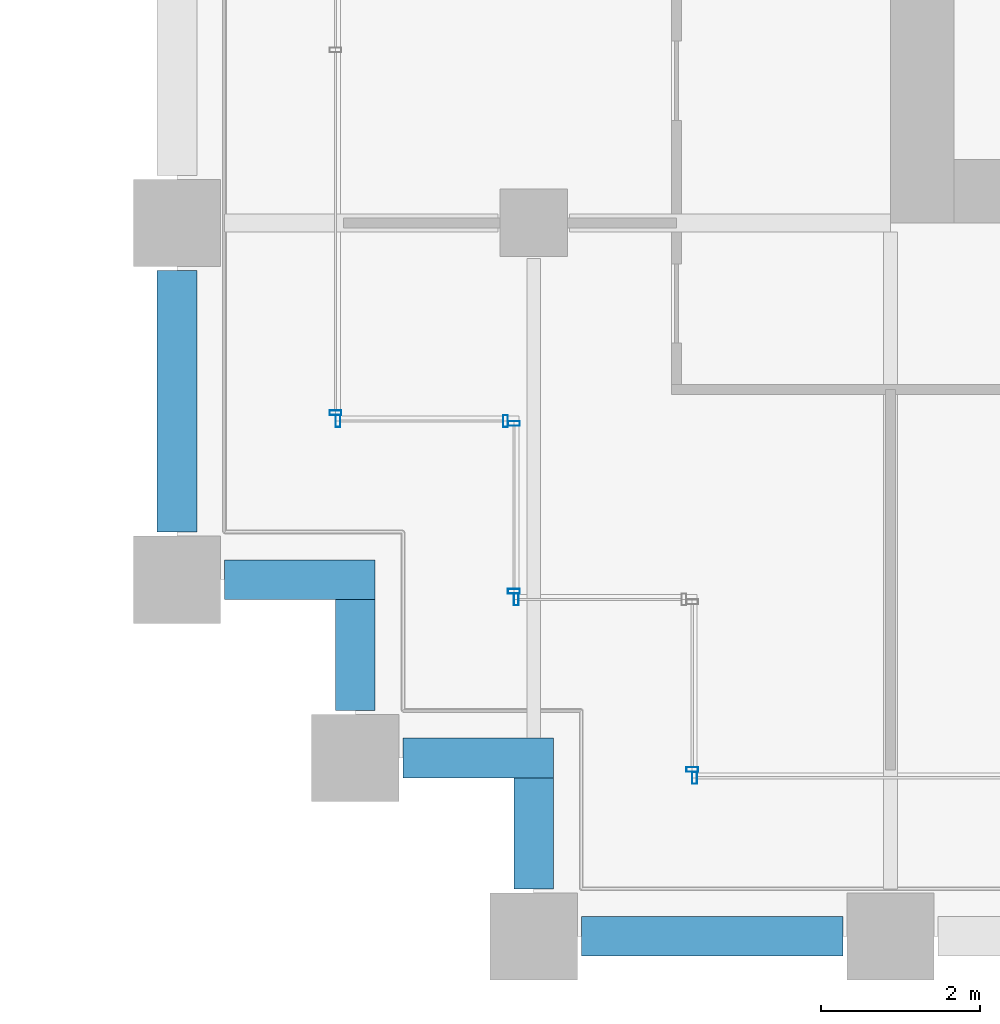
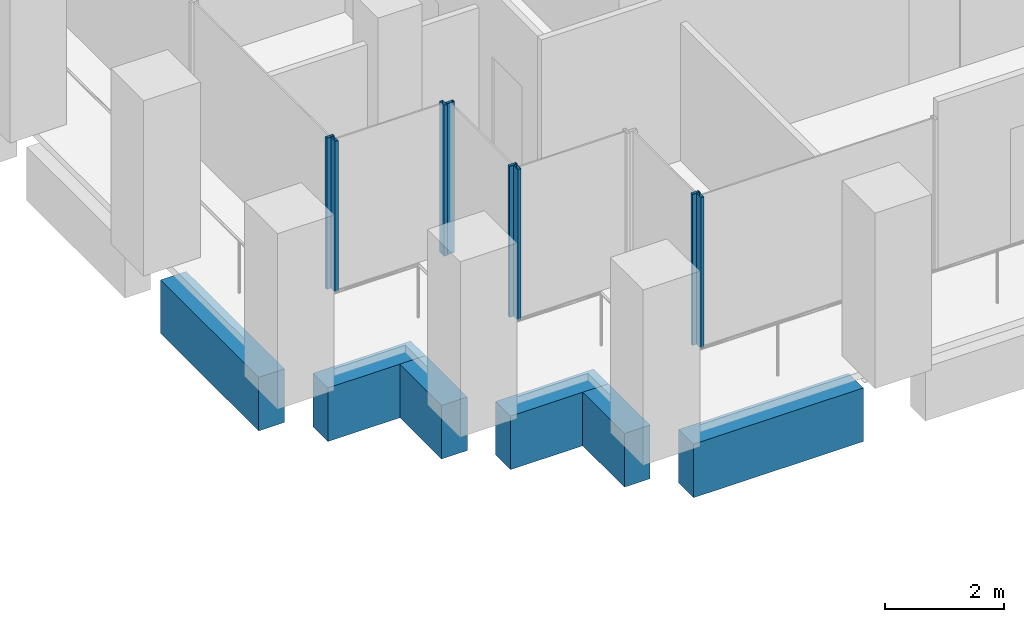
# One storey, part 33 of 55: 8 members, 6 beams, 6 elements without a shape of their own.
"""IFC4 building model written with IfcOpenShell, lengths in metres."""

from ifc_helpers import new_model, si_unit, direction, frame, origin, origin_2d, place, context, subcontext, project, spatial, rectangle, hollow_rectangle, extrude, material, material_profile, profile_set, type_object, element, aggregate, save


model = new_model("IFC4")

# Units and contexts
model_context = context("Model", 3, precision=1e-05, world=origin(), true_north=direction((0.0, 1.0)))
body_context = subcontext(model_context, "Body", "Model", "MODEL_VIEW")
ifc_project = project(units=[si_unit("LENGTHUNIT", "METRE"), si_unit("AREAUNIT", "SQUARE_METRE"), si_unit("VOLUMEUNIT", "CUBIC_METRE"), si_unit("PLANEANGLEUNIT", "RADIAN"), si_unit("MASSUNIT", "GRAM", prefix="KILO")], contexts=[model_context])

# Site, building, storey
site_placement = place(None, origin())
site = spatial("IfcSite", under=ifc_project, at=site_placement, CompositionType="ELEMENT")
building_placement = place(site_placement, origin())
building = spatial("IfcBuilding", under=site, at=building_placement, Name="Altepetl Exchange Towers", CompositionType="ELEMENT")
storey_placement = place(building_placement, frame((0.0, 0.0, 47.39990234375)))
storey = spatial("IfcBuildingStorey", under=building, at=storey_placement, Name="L10", CompositionType="ELEMENT", Elevation=47.39990234375)

# Curtain wall, member
ifc_material_1 = material(Name="Aluminium 6063-T6 glazing", Category="aluminium")
curtain_wall_type = type_object("IfcCurtainWallType", Name="Loggia glazing system", PredefinedType="NOTDEFINED", material=ifc_material_1)
curtain_wall_1_placement = place(storey_placement, origin())
curtain_wall_1 = element("IfcCurtainWall", 1, at=curtain_wall_1_placement, inside=storey, type_object=curtain_wall_type, Name="CW1 run", PredefinedType="NOTDEFINED")
ifc_material_2 = material(Name="Aluminium 6063-T6", Category="aluminium")
ifc_material_profile_1 = material_profile(ifc_material_2, hollow_rectangle(XDim=0.06005859375, YDim=0.14990234375, WallThickness=0.0029296875, at=origin_2d()), Name="Mullion 60x150 aluminium")
ifc_profile_set_1 = profile_set([ifc_material_profile_1], Name="Aluminium 6063-T6")
member_type = type_object("IfcMemberType", Name="Mullion 60x150 aluminium", PredefinedType="MULLION", material=ifc_profile_set_1)
member_1_placement = place(storey_placement, frame((96.5, 33.60498046875, 0.0), z_axis=(0.0, 0.0, 1.0), x_axis=(0.0, -1.0, 0.0)))
member_1 = element("IfcMember", 2, at=member_1_placement, type_object=member_type, Name="MU1 mullion", PredefinedType="MULLION", context=body_context, shape_type="SweptSolid", body=[
    extrude(hollow_rectangle(XDim=0.06005859375, YDim=0.14990234375, WallThickness=0.0029296875, at=origin_2d()), origin(), (0.0, 0.0, 1.0), 3.10009765625),
])
aggregate(curtain_wall_1, [member_1])

# Curtain wall, members
curtain_wall_2_placement = place(storey_placement, origin())
curtain_wall_2 = element("IfcCurtainWall", 3, at=curtain_wall_2_placement, inside=storey, type_object=curtain_wall_type, Name="CW1 run", PredefinedType="NOTDEFINED")
member_2_placement = place(storey_placement, frame((96.530029296875, 33.5, 0.0)))
member_2 = element("IfcMember", 4, at=member_2_placement, type_object=member_type, Name="MU1 mullion", PredefinedType="MULLION", context=body_context, shape_type="SweptSolid", body=[
    extrude(hollow_rectangle(XDim=0.06005859375, YDim=0.14990234375, WallThickness=0.0029296875, at=origin_2d()), origin(), (0.0, 0.0, 1.0), 3.10009765625),
])
member_3_placement = place(storey_placement, frame((98.64501953125, 33.5, 0.0)))
member_3 = element("IfcMember", 5, at=member_3_placement, type_object=member_type, Name="MU1 mullion", PredefinedType="MULLION", context=body_context, shape_type="SweptSolid", body=[
    extrude(hollow_rectangle(XDim=0.06005859375, YDim=0.14990234375, WallThickness=0.0029296875, at=origin_2d()), origin(), (0.0, 0.0, 1.0), 3.10009765625),
])
aggregate(curtain_wall_2, [member_2, member_3])

curtain_wall_3_placement = place(storey_placement, origin())
curtain_wall_3 = element("IfcCurtainWall", 6, at=curtain_wall_3_placement, inside=storey, type_object=curtain_wall_type, Name="CW1 run", PredefinedType="NOTDEFINED")
member_4_placement = place(storey_placement, frame((98.75, 33.469970703125, 0.0), z_axis=(0.0, 0.0, 1.0), x_axis=(0.0, -1.0, 0.0)))
member_4 = element("IfcMember", 7, at=member_4_placement, type_object=member_type, Name="MU1 mullion", PredefinedType="MULLION", context=body_context, shape_type="SweptSolid", body=[
    extrude(hollow_rectangle(XDim=0.06005859375, YDim=0.14990234375, WallThickness=0.0029296875, at=origin_2d()), origin(), (0.0, 0.0, 1.0), 3.10009765625),
])
member_5_placement = place(storey_placement, frame((98.75, 31.35498046875, 0.0), z_axis=(0.0, 0.0, 1.0), x_axis=(0.0, -1.0, 0.0)))
member_5 = element("IfcMember", 8, at=member_5_placement, type_object=member_type, Name="MU1 mullion", PredefinedType="MULLION", context=body_context, shape_type="SweptSolid", body=[
    extrude(hollow_rectangle(XDim=0.06005859375, YDim=0.14990234375, WallThickness=0.0029296875, at=origin_2d()), origin(), (0.0, 0.0, 1.0), 3.10009765625),
])
aggregate(curtain_wall_3, [member_4, member_5])

# Curtain wall, member
curtain_wall_4_placement = place(storey_placement, origin())
curtain_wall_4 = element("IfcCurtainWall", 9, at=curtain_wall_4_placement, inside=storey, type_object=curtain_wall_type, Name="CW1 run", PredefinedType="NOTDEFINED")
member_6_placement = place(storey_placement, frame((98.780029296875, 31.25, 0.0)))
member_6 = element("IfcMember", 10, at=member_6_placement, type_object=member_type, Name="MU1 mullion", PredefinedType="MULLION", context=body_context, shape_type="SweptSolid", body=[
    extrude(hollow_rectangle(XDim=0.06005859375, YDim=0.14990234375, WallThickness=0.0029296875, at=origin_2d()), origin(), (0.0, 0.0, 1.0), 3.10009765625),
])
aggregate(curtain_wall_4, [member_6])

curtain_wall_5_placement = place(storey_placement, origin())
curtain_wall_5 = element("IfcCurtainWall", 11, at=curtain_wall_5_placement, inside=storey, type_object=curtain_wall_type, Name="CW1 run", PredefinedType="NOTDEFINED")
member_7_placement = place(storey_placement, frame((101.0, 29.10498046875, 0.0), z_axis=(0.0, 0.0, 1.0), x_axis=(0.0, -1.0, 0.0)))
member_7 = element("IfcMember", 12, at=member_7_placement, type_object=member_type, Name="MU1 mullion", PredefinedType="MULLION", context=body_context, shape_type="SweptSolid", body=[
    extrude(hollow_rectangle(XDim=0.06005859375, YDim=0.14990234375, WallThickness=0.0029296875, at=origin_2d()), origin(), (0.0, 0.0, 1.0), 3.10009765625),
])
aggregate(curtain_wall_5, [member_7])

curtain_wall_6_placement = place(storey_placement, origin())
curtain_wall_6 = element("IfcCurtainWall", 13, at=curtain_wall_6_placement, inside=storey, type_object=curtain_wall_type, Name="CW1 run", PredefinedType="NOTDEFINED")
member_8_placement = place(storey_placement, frame((101.030029296875, 29.0, 0.0)))
member_8 = element("IfcMember", 14, at=member_8_placement, type_object=member_type, Name="MU1 mullion", PredefinedType="MULLION", context=body_context, shape_type="SweptSolid", body=[
    extrude(hollow_rectangle(XDim=0.06005859375, YDim=0.14990234375, WallThickness=0.0029296875, at=origin_2d()), origin(), (0.0, 0.0, 1.0), 3.10009765625),
])
aggregate(curtain_wall_6, [member_8])

# Beams
ifc_material_3 = material(Name="Concrete C50/60 precast with tezontle facing", Category="concrete")
ifc_material_profile_2 = material_profile(ifc_material_3, rectangle(XDim=0.5, YDim=1.10009765625, at=origin_2d()), Name="500 x 1100")
ifc_profile_set_2 = profile_set([ifc_material_profile_2], Name="Concrete C50/60 precast with tezontle facing")
beam_type = type_object("IfcBeamType", Name="Spandrel beam 500x1100 tezontle", PredefinedType="SPANDREL", material=ifc_profile_set_2)
for number, where, z_axis, x_axis, name in (
    (15, (99.60009765625, 27.0, -0.699951171875), (1.0, 0.0, 0.0), (0.0, 1.0, 0.0), "sp:B:L10:000"),
    (16, (94.5, 35.39990234375, -0.699951171875), (0.0, -1.0, 0.0), (1.0, 0.0, 0.0), "sp:B:L10:031"),
):
    element("IfcBeam", number, at=place(storey_placement, frame(where, z_axis=z_axis, x_axis=x_axis)), inside=storey, type_object=beam_type, Name=name, PredefinedType="SPANDREL", context=body_context, shape_type="SweptSolid", body=[
        extrude(rectangle(XDim=0.5, YDim=1.10009765625, at=origin_2d()), origin(), (0.0, 0.0, 1.0), 3.2998046875),
    ])
beam_1_placement = place(storey_placement, frame((95.10009765625, 31.5, -0.699951171875), z_axis=(1.0, 0.0, 0.0), x_axis=(0.0, 1.0, 0.0)))
element("IfcBeam", 17, at=beam_1_placement, inside=storey, type_object=beam_type, Name="sp:B:L10:032", PredefinedType="SPANDREL", context=body_context, shape_type="SweptSolid", body=[
    extrude(rectangle(XDim=0.5, YDim=1.10009765625, at=origin_2d()), origin(), (0.0, 0.0, 1.0), 1.89990234375),
])
beam_2_placement = place(storey_placement, frame((96.75, 31.25, -0.699951171875), z_axis=(0.0, -1.0, 0.0), x_axis=(1.0, 0.0, 0.0)))
element("IfcBeam", 18, at=beam_2_placement, inside=storey, type_object=beam_type, Name="sp:B:L10:033", PredefinedType="SPANDREL", context=body_context, shape_type="SweptSolid", body=[
    extrude(rectangle(XDim=0.5, YDim=1.10009765625, at=origin_2d()), origin(), (0.0, 0.0, 1.0), 1.39990234375),
])
beam_3_placement = place(storey_placement, frame((97.35009765625, 29.25, -0.699951171875), z_axis=(1.0, 0.0, 0.0), x_axis=(0.0, 1.0, 0.0)))
element("IfcBeam", 19, at=beam_3_placement, inside=storey, type_object=beam_type, Name="sp:B:L10:034", PredefinedType="SPANDREL", context=body_context, shape_type="SweptSolid", body=[
    extrude(rectangle(XDim=0.5, YDim=1.10009765625, at=origin_2d()), origin(), (0.0, 0.0, 1.0), 1.89990234375),
])
beam_4_placement = place(storey_placement, frame((99.0, 29.0, -0.699951171875), z_axis=(0.0, -1.0, 0.0), x_axis=(1.0, 0.0, 0.0)))
element("IfcBeam", 20, at=beam_4_placement, inside=storey, type_object=beam_type, Name="sp:B:L10:035", PredefinedType="SPANDREL", context=body_context, shape_type="SweptSolid", body=[
    extrude(rectangle(XDim=0.5, YDim=1.10009765625, at=origin_2d()), origin(), (0.0, 0.0, 1.0), 1.39990234375),
])

save(model, "model.ifc")
